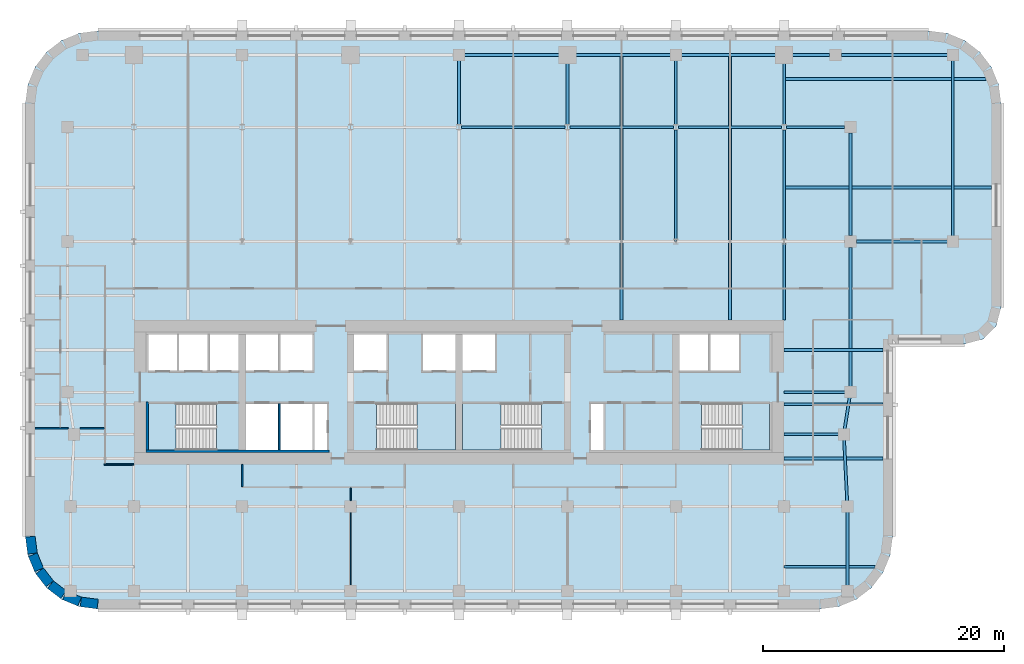
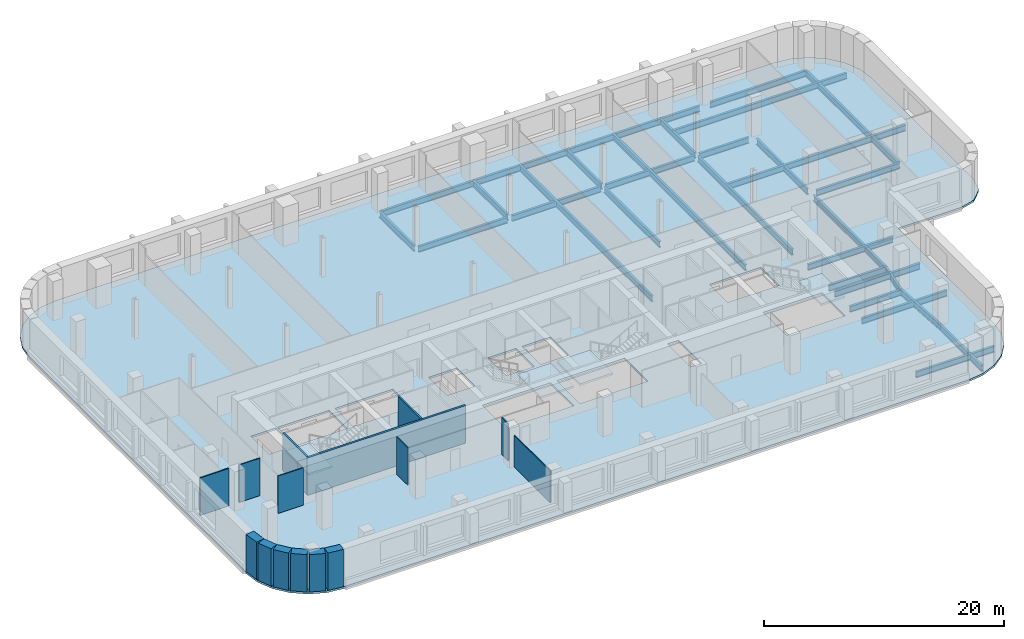
# One storey, part 2 of 9: 30 beams, 15 walls, 5 slabs, 4 elements without a shape of their own.
"""IFC4 building model written with IfcOpenShell, lengths in metres."""

import ifcopenshell
import ifcopenshell.guid

model = None  # the IFC model being written
_history = None  # IfcOwnerHistory: only IFC2X3 demands one
_inside = {}  # id of a spatial element -> (the spatial element, [elements in it])
_under = {}  # id of a project, library or spatial element -> (it, [spatial elements below it])
_declared = {}  # id of a project -> (the project, [libraries it declares])
_typed = {}  # id of a type object -> (the type object, [elements of that type])
_made_of = {}  # id of a material, layer set ... -> (it, [elements and type objects made of it])


def new_model(schema):
    """Start an empty IFC model of exactly this schema.

    Asked for "IFC4X3", IfcOpenShell would pick the latest addendum, in which some entities
    have other attributes; the version numbers below select the first issue.
    IFC2X3 requires an IfcOwnerHistory on every rooted entity: one is made here for all.
    """
    global model, _history
    if schema == "IFC4X3":
        model = ifcopenshell.file(schema_version=(4, 3, 0, 0))
    else:
        model = ifcopenshell.file(schema=schema)
    _inside.clear()
    _under.clear()
    _declared.clear()
    _typed.clear()
    _made_of.clear()
    _history = None
    if model.schema == "IFC2X3":
        org = make("IfcOrganization", Name="unknown")
        user = make(
            "IfcPersonAndOrganization",
            ThePerson=make("IfcPerson", FamilyName="unknown"),
            TheOrganization=org,
        )
        app = make(
            "IfcApplication",
            ApplicationDeveloper=org,
            Version="unknown",
            ApplicationFullName="unknown",
            ApplicationIdentifier="unknown",
        )
        _history = make(
            "IfcOwnerHistory",
            OwningUser=user,
            OwningApplication=app,
            ChangeAction="ADDED",
            CreationDate=0,
        )
    return model


def make(cls, **values):
    """One entity of the class cls with the attributes given. An attribute that is None is left unset."""
    return model.create_entity(
        cls, **{name: value for name, value in values.items() if value is not None}
    )


def rooted(cls, **values):
    """An entity with a GlobalId (a new one), such as an element, a storey or a relation."""
    return make(cls, GlobalId=ifcopenshell.guid.new(), OwnerHistory=_history, **values)


def si_unit(unit_type, name, prefix=None):
    """IfcSIUnit, for example si_unit("LENGTHUNIT", "METRE", prefix="MILLI")."""
    return make("IfcSIUnit", UnitType=unit_type, Prefix=prefix, Name=name)


def assignment(units):
    """IfcUnitAssignment: the units of a project."""
    return None if units is None else make("IfcUnitAssignment", Units=units)


def point(xyz):
    """IfcCartesianPoint."""
    return None if xyz is None else make("IfcCartesianPoint", Coordinates=xyz)


def direction(xyz):
    """IfcDirection."""
    return None if xyz is None else make("IfcDirection", DirectionRatios=xyz)


def frame(location, z_axis=None, x_axis=None):
    """IfcAxis2Placement3D, a coordinate frame: its origin and axes. An axis left out is left unset."""
    return make(
        "IfcAxis2Placement3D",
        Location=point(location),
        Axis=direction(z_axis),
        RefDirection=direction(x_axis),
    )


def frame_2d(location, x_axis=None):
    """IfcAxis2Placement2D, a coordinate frame in the plane: its origin and x axis."""
    return make(
        "IfcAxis2Placement2D", Location=point(location), RefDirection=direction(x_axis)
    )


def origin():
    """The frame at (0, 0, 0) with its axes left unset."""
    return frame((0.0, 0.0, 0.0))


def origin_2d():
    """The frame at (0, 0) in the plane with its x axis left unset."""
    return frame_2d((0.0, 0.0))


def place(relative_to, where):
    """IfcLocalPlacement: puts the frame where relative to a parent placement (None: the world)."""
    return make(
        "IfcLocalPlacement", PlacementRelTo=relative_to, RelativePlacement=where
    )


def context(
    kind, dimensions, precision=None, world=None, true_north=None, identifier=None
):
    """IfcGeometricRepresentationContext, for example the 3D "Model" context."""
    return make(
        "IfcGeometricRepresentationContext",
        ContextIdentifier=identifier,
        ContextType=kind,
        CoordinateSpaceDimension=dimensions,
        Precision=precision,
        WorldCoordinateSystem=world,
        TrueNorth=true_north,
    )


def subcontext(parent, identifier, kind, view, scale=None):
    """IfcGeometricRepresentationSubContext, for example "Body" below "Model"."""
    return make(
        "IfcGeometricRepresentationSubContext",
        ContextIdentifier=identifier,
        ContextType=kind,
        ParentContext=parent,
        TargetScale=scale,
        TargetView=view,
    )


def project(units=None, contexts=None):
    """IfcProject with its units and contexts."""
    return rooted(
        "IfcProject",
        Name="project",
        RepresentationContexts=contexts,
        UnitsInContext=assignment(units),
    )


def spatial(cls, under=None, at=None, **own):
    """A site, building, storey or space (cls), placed at a placement, below another one or the project."""
    s = rooted(cls, ObjectPlacement=at, **own)
    if under is not None:
        _under.setdefault(under.id(), (under, []))[1].append(s)
    return s


def polyline(points):
    """IfcPolyline through the points."""
    return make("IfcPolyline", Points=[point(p) for p in points])


def profile(cls, at=None, kind="AREA", **sizes):
    """A parametric profile (cls). Its sizes go by their IFC names, for example OverallWidth=200.0."""
    return make(cls, ProfileType=kind, Position=at, **sizes)


def rectangle(**sizes):
    """IfcRectangleProfileDef."""
    return profile("IfcRectangleProfileDef", **sizes)


def i_section(**sizes):
    """IfcIShapeProfileDef."""
    return profile("IfcIShapeProfileDef", **sizes)


def outline(outer, holes=None, kind="AREA"):
    """IfcArbitraryClosedProfileDef: a profile drawn as a closed curve; with holes, ...WithVoids."""
    if holes is None:
        return make("IfcArbitraryClosedProfileDef", ProfileType=kind, OuterCurve=outer)
    return make(
        "IfcArbitraryProfileDefWithVoids",
        ProfileType=kind,
        OuterCurve=outer,
        InnerCurves=holes,
    )


def extrude(swept, where, along, depth):
    """IfcExtrudedAreaSolid: the profile swept, set in the frame where, extruded along a direction by depth."""
    return make(
        "IfcExtrudedAreaSolid",
        SweptArea=swept,
        Position=where,
        ExtrudedDirection=direction(along),
        Depth=depth,
    )


def shape(context_of_items, identifier, shape_type, items):
    """IfcShapeRepresentation: the items that make up one representation, for example the "Body"."""
    return make(
        "IfcShapeRepresentation",
        ContextOfItems=context_of_items,
        RepresentationIdentifier=identifier,
        RepresentationType=shape_type,
        Items=items,
    )


def material(Name=None, Category=None):
    """IfcMaterial."""
    return make("IfcMaterial", Name=Name, Category=Category)


def layer(
    of_material, thickness, ventilated=None, Name=None, Category=None, Priority=None
):
    """IfcMaterialLayer: one layer of a wall or slab, of a material (None: an air gap)."""
    return make(
        "IfcMaterialLayer",
        Material=of_material,
        LayerThickness=thickness,
        IsVentilated=ventilated,
        Name=Name,
        Category=Category,
        Priority=Priority,
    )


def layer_set(layers, Name=None):
    """IfcMaterialLayerSet."""
    return make("IfcMaterialLayerSet", MaterialLayers=layers, LayerSetName=Name)


def material_profile(
    of_material, cross_section, Name=None, Category=None, Priority=None
):
    """IfcMaterialProfile: a cross section and its material."""
    return make(
        "IfcMaterialProfile",
        Name=Name,
        Material=of_material,
        Profile=cross_section,
        Priority=Priority,
        Category=Category,
    )


def profile_set(profiles, Name=None, composite=None):
    """IfcMaterialProfileSet."""
    return make(
        "IfcMaterialProfileSet",
        Name=Name,
        MaterialProfiles=profiles,
        CompositeProfile=composite,
    )


def made_of(thing, what):
    """Note that an element or type object is made of a material, layer set ...; save() writes the relation."""
    if what is not None:
        _made_of.setdefault(what.id(), (what, []))[1].append(thing)
    return thing


def type_object(cls, material=None, **own):
    """A type object (cls), such as IfcWallType, which elements share."""
    return made_of(rooted(cls, **own), material)


def element(
    cls,
    number,
    at=None,
    inside=None,
    cuts=None,
    type_object=None,
    material=None,
    context=None,
    identifier="Body",
    shape_type=None,
    held_by="IfcProductDefinitionShape",
    body=None,
    shapes=None,
    **own,
):
    """One element of the class cls, such as IfcWall. Its Tag is "e" and its number.

    at: its placement. inside: the storey or other place that contains it. cuts: it is an
    opening in that element (IfcRelVoidsElement). A single representation is given by context,
    identifier, shape_type and body (its items); several are given by shapes. held_by: the class
    of the entity that holds the representations. save() writes the other relations.
    """
    e = rooted(cls, Tag="e%d" % number, ObjectPlacement=at, **own)
    if body is not None:
        shapes = [shape(context, identifier, shape_type, body)]
    if shapes is not None:
        e.Representation = make(held_by, Representations=shapes)
    if inside is not None:
        _inside.setdefault(inside.id(), (inside, []))[1].append(e)
    if cuts is not None:
        rooted(
            "IfcRelVoidsElement", RelatingBuildingElement=cuts, RelatedOpeningElement=e
        )
    if type_object is not None:
        _typed.setdefault(type_object.id(), (type_object, []))[1].append(e)
    return made_of(e, material)


def aggregate(whole, parts):
    """IfcRelAggregates: a whole, such as a stair, and the parts it consists of."""
    return rooted("IfcRelAggregates", RelatingObject=whole, RelatedObjects=parts)


def save(model, path):
    """Write the relations noted so far, then the file.

    IfcRelAggregates (storeys below a building ...), IfcRelContainedInSpatialStructure (elements
    in a storey), IfcRelDefinesByType, IfcRelAssociatesMaterial and IfcRelDeclares: one each for
    every whole, place, type object, material and project.
    """
    for whole, parts in _under.values():
        aggregate(whole, parts)
    for where, things in _inside.values():
        rooted(
            "IfcRelContainedInSpatialStructure",
            RelatedElements=things,
            RelatingStructure=where,
        )
    for kind, things in _typed.values():
        rooted("IfcRelDefinesByType", RelatedObjects=things, RelatingType=kind)
    for what, things in _made_of.values():
        rooted("IfcRelAssociatesMaterial", RelatedObjects=things, RelatingMaterial=what)
    for by, libraries in _declared.values():
        rooted("IfcRelDeclares", RelatingContext=by, RelatedDefinitions=libraries)
    model.write(path)


model = new_model("IFC4")

# Units and contexts
model_context = context("Model", 3, precision=1e-05, world=origin(), true_north=direction((0.0, 1.0)))
body_context = subcontext(model_context, "Body", "Model", "MODEL_VIEW")
ifc_project = project(units=[si_unit("LENGTHUNIT", "METRE"), si_unit("AREAUNIT", "SQUARE_METRE"), si_unit("VOLUMEUNIT", "CUBIC_METRE"), si_unit("PLANEANGLEUNIT", "RADIAN"), si_unit("MASSUNIT", "GRAM", prefix="KILO")], contexts=[model_context])

# Site, building, storey
site_placement = place(None, origin())
site = spatial("IfcSite", under=ifc_project, at=site_placement, CompositionType="ELEMENT")
building_placement = place(site_placement, origin())
building = spatial("IfcBuilding", under=site, at=building_placement, Name="Zellij Exchange Tower", CompositionType="ELEMENT")
storey_placement = place(building_placement, frame((0.0, 0.0, 140.5)))
storey = spatial("IfcBuildingStorey", under=building, at=storey_placement, Name="L31", CompositionType="ELEMENT", Elevation=140.5)

# Beams
ifc_material_1 = material(Name="Structural steel ASTM A992 Gr 50", Category="steel")
ifc_material_profile_1 = material_profile(ifc_material_1, i_section(OverallWidth=0.227783203125, OverallDepth=0.60205078125, WebThickness=0.010498046875, FlangeThickness=0.014892578125, at=origin_2d()), Name="W24x68")
ifc_profile_set_1 = profile_set([ifc_material_profile_1], Name="Structural steel ASTM A992 Gr 50")
beam_type_1 = type_object("IfcBeamType", Name="STR-BEAM W24x68", PredefinedType="BEAM", material=ifc_profile_set_1)
for number, where, z_axis, x_axis, name in (
    (1, (13.5, -2.0, -0.5009765625), (0.0, 1.0, 0.0), (-1.0, 0.0, 0.0), "B5"),
    (2, (22.5, -2.0, -0.5009765625), (0.0, 1.0, 0.0), (-1.0, 0.0, 0.0), "B5"),
):
    element("IfcBeam", number, at=place(storey_placement, frame(where, z_axis=z_axis, x_axis=x_axis)), inside=storey, type_object=beam_type_1, Name=name, PredefinedType="BEAM", context=body_context, shape_type="SweptSolid", body=[
        extrude(i_section(OverallWidth=0.227783203125, OverallDepth=0.60205078125, WebThickness=0.010498046875, FlangeThickness=0.014892578125, at=origin_2d()), origin(), (0.0, 0.0, 1.0), 22.114501953125),
    ])
beam_1_placement = place(storey_placement, frame((27.0, -22.5, -0.5009765625), z_axis=(1.0, 0.0, 0.0), x_axis=(0.0, 1.0, 0.0)))
element("IfcBeam", 3, at=beam_1_placement, inside=storey, type_object=beam_type_1, Name="B5", PredefinedType="BEAM", context=body_context, shape_type="SweptSolid", body=[
    extrude(i_section(OverallWidth=0.227783203125, OverallDepth=0.60205078125, WebThickness=0.010498046875, FlangeThickness=0.014892578125, at=origin_2d()), origin(), (0.0, 0.0, 1.0), 7.537109375),
])
for number, where, z_axis, x_axis, name in (
    (4, (27.0, -13.5, -0.5009765625), (1.0, 0.0, 0.0), (0.0, 1.0, 0.0), "B5"),
    (5, (27.0, -9.0, -0.5009765625), (1.0, 0.0, 0.0), (0.0, 1.0, 0.0), "B5"),
    (6, (27.0, -4.5, -0.5009765625), (1.0, 0.0, 0.0), (0.0, 1.0, 0.0), "B5"),
):
    element("IfcBeam", number, at=place(storey_placement, frame(where, z_axis=z_axis, x_axis=x_axis)), inside=storey, type_object=beam_type_1, Name=name, PredefinedType="BEAM", context=body_context, shape_type="SweptSolid", body=[
        extrude(i_section(OverallWidth=0.227783203125, OverallDepth=0.60205078125, WebThickness=0.010498046875, FlangeThickness=0.014892578125, at=origin_2d()), origin(), (0.0, 0.0, 1.0), 8.199951171875),
    ])
beam_2_placement = place(storey_placement, frame((27.0, 9.0, -0.5009765625), z_axis=(1.0, 0.0, 0.0), x_axis=(0.0, 1.0, 0.0)))
element("IfcBeam", 7, at=beam_2_placement, inside=storey, type_object=beam_type_1, Name="B5", PredefinedType="BEAM", context=body_context, shape_type="SweptSolid", body=[
    extrude(i_section(OverallWidth=0.227783203125, OverallDepth=0.60205078125, WebThickness=0.010498046875, FlangeThickness=0.014892578125, at=origin_2d()), origin(), (0.0, 0.0, 1.0), 17.199951171875),
])
beam_3_placement = place(storey_placement, frame((27.0, 18.0, -0.5009765625), z_axis=(1.0, 0.0, 0.0), x_axis=(0.0, 1.0, 0.0)))
element("IfcBeam", 8, at=beam_3_placement, inside=storey, type_object=beam_type_1, Name="B5", PredefinedType="BEAM", context=body_context, shape_type="SweptSolid", body=[
    extrude(i_section(OverallWidth=0.227783203125, OverallDepth=0.60205078125, WebThickness=0.010498046875, FlangeThickness=0.014892578125, at=origin_2d()), origin(), (0.0, 0.0, 1.0), 16.743896484375),
])
ifc_material_profile_2 = material_profile(ifc_material_1, i_section(OverallWidth=0.22900390625, OverallDepth=0.612060546875, WebThickness=0.011962890625, FlangeThickness=0.01953125, at=origin_2d()), Name="W24x84")
ifc_profile_set_2 = profile_set([ifc_material_profile_2], Name="Structural steel ASTM A992 Gr 50")
beam_type_2 = type_object("IfcBeamType", Name="STR-EDGE GIRDER W24x84", PredefinedType="BEAM", material=ifc_profile_set_2)
beam_4_placement = place(storey_placement, frame((32.25, -24.5, -0.506103515625), z_axis=(0.0, 1.0, 0.0), x_axis=(-1.0, 0.0, 0.0)))
element("IfcBeam", 9, at=beam_4_placement, inside=storey, type_object=beam_type_2, Name="EB6", PredefinedType="BEAM", context=body_context, shape_type="SweptSolid", body=[
    extrude(i_section(OverallWidth=0.22900390625, OverallDepth=0.612060546875, WebThickness=0.011962890625, FlangeThickness=0.01953125, at=origin_2d()), origin(), (0.0, 0.0, 1.0), 7.0),
])
beam_5_placement = place(storey_placement, frame((32.25, -17.5, -0.506103515625), z_axis=(-0.049945724537, 0.998751933465, 0.0), x_axis=(-0.998751933465, -0.049945724537, 0.0)))
element("IfcBeam", 10, at=beam_5_placement, inside=storey, type_object=beam_type_2, Name="EB6", PredefinedType="BEAM", context=body_context, shape_type="SweptSolid", body=[
    extrude(i_section(OverallWidth=0.22900390625, OverallDepth=0.612060546875, WebThickness=0.011962890625, FlangeThickness=0.01953125, at=origin_2d()), origin(), (0.0, 0.0, 1.0), 6.007568359375),
])
beam_6_placement = place(storey_placement, frame((31.949951171875, -11.5, -0.506103515625), z_axis=(0.155251283593, 0.987875011802, 0.0), x_axis=(-0.987875011802, 0.155251283593, 0.0)))
element("IfcBeam", 11, at=beam_6_placement, inside=storey, type_object=beam_type_2, Name="EB6", PredefinedType="BEAM", context=body_context, shape_type="SweptSolid", body=[
    extrude(i_section(OverallWidth=0.22900390625, OverallDepth=0.612060546875, WebThickness=0.011962890625, FlangeThickness=0.01953125, at=origin_2d()), origin(), (0.0, 0.0, 1.0), 3.54296875),
])
beam_7_placement = place(storey_placement, frame((32.5, -8.0, -0.506103515625), z_axis=(0.0, 1.0, 0.0), x_axis=(-1.0, 0.0, 0.0)))
element("IfcBeam", 12, at=beam_7_placement, inside=storey, type_object=beam_type_2, Name="EB6", PredefinedType="BEAM", context=body_context, shape_type="SweptSolid", body=[
    extrude(i_section(OverallWidth=0.22900390625, OverallDepth=0.612060546875, WebThickness=0.011962890625, FlangeThickness=0.01953125, at=origin_2d()), origin(), (0.0, 0.0, 1.0), 12.0),
])
beam_8_placement = place(storey_placement, frame((32.5, 5.0, -0.506103515625), z_axis=(0.0, 1.0, 0.0), x_axis=(-1.0, 0.0, 0.0)))
element("IfcBeam", 13, at=beam_8_placement, inside=storey, type_object=beam_type_2, Name="EB6", PredefinedType="BEAM", context=body_context, shape_type="SweptSolid", body=[
    extrude(i_section(OverallWidth=0.22900390625, OverallDepth=0.612060546875, WebThickness=0.011962890625, FlangeThickness=0.01953125, at=origin_2d()), origin(), (0.0, 0.0, 1.0), 8.5),
])
beam_9_placement = place(storey_placement, frame((41.0, 4.5, -0.506103515625), z_axis=(0.0, 1.0, 0.0), x_axis=(-1.0, 0.0, 0.0)))
element("IfcBeam", 14, at=beam_9_placement, inside=storey, type_object=beam_type_2, Name="EB6", PredefinedType="BEAM", context=body_context, shape_type="SweptSolid", body=[
    extrude(i_section(OverallWidth=0.22900390625, OverallDepth=0.612060546875, WebThickness=0.011962890625, FlangeThickness=0.01953125, at=origin_2d()), origin(), (0.0, 0.0, 1.0), 15.5),
])
ifc_material_profile_3 = material_profile(ifc_material_1, i_section(OverallWidth=0.22900390625, OverallDepth=0.612060546875, WebThickness=0.011962890625, FlangeThickness=0.01953125, at=origin_2d()), Name="W24x84")
ifc_profile_set_3 = profile_set([ifc_material_profile_3], Name="Structural steel ASTM A992 Gr 50")
beam_type_3 = type_object("IfcBeamType", Name="STR-GIRDER W24x84", PredefinedType="BEAM", material=ifc_profile_set_3)
beam_10_placement = place(storey_placement, frame((27.0, -11.5, -0.506103515625), z_axis=(1.0, 0.0, 0.0), x_axis=(0.0, 1.0, 0.0)))
element("IfcBeam", 15, at=beam_10_placement, inside=storey, type_object=beam_type_3, Name="G4", PredefinedType="BEAM", context=body_context, shape_type="SweptSolid", body=[
    extrude(i_section(OverallWidth=0.22900390625, OverallDepth=0.612060546875, WebThickness=0.011962890625, FlangeThickness=0.01953125, at=origin_2d()), origin(), (0.0, 0.0, 1.0), 4.949951171875),
])
beam_11_placement = place(storey_placement, frame((27.0, -8.0, -0.506103515625), z_axis=(1.0, 0.0, 0.0), x_axis=(0.0, 1.0, 0.0)))
element("IfcBeam", 16, at=beam_11_placement, inside=storey, type_object=beam_type_3, Name="G4", PredefinedType="BEAM", context=body_context, shape_type="SweptSolid", body=[
    extrude(i_section(OverallWidth=0.22900390625, OverallDepth=0.612060546875, WebThickness=0.011962890625, FlangeThickness=0.01953125, at=origin_2d()), origin(), (0.0, 0.0, 1.0), 5.5),
])
beam_12_placement = place(storey_placement, frame((33.0, 4.5, -0.506103515625), z_axis=(1.0, 0.0, 0.0), x_axis=(0.0, 1.0, 0.0)))
element("IfcBeam", 17, at=beam_12_placement, inside=storey, type_object=beam_type_3, Name="G4", PredefinedType="BEAM", context=body_context, shape_type="SweptSolid", body=[
    extrude(i_section(OverallWidth=0.22900390625, OverallDepth=0.612060546875, WebThickness=0.011962890625, FlangeThickness=0.01953125, at=origin_2d()), origin(), (0.0, 0.0, 1.0), 8.0),
])
beam_13_placement = place(storey_placement, frame((0.20947265625, 14.0, -0.506103515625), z_axis=(1.0, 0.0, 0.0), x_axis=(0.0, 1.0, 0.0)))
element("IfcBeam", 18, at=beam_13_placement, inside=storey, type_object=beam_type_3, Name="G4", PredefinedType="BEAM", context=body_context, shape_type="SweptSolid", body=[
    extrude(i_section(OverallWidth=0.22900390625, OverallDepth=0.612060546875, WebThickness=0.011962890625, FlangeThickness=0.01953125, at=origin_2d()), origin(), (0.0, 0.0, 1.0), 8.580810546875),
])
for number, where, z_axis, x_axis, name in (
    (19, (9.209716796875, 14.0, -0.506103515625), (1.0, 0.0, 0.0), (0.0, 1.0, 0.0), "G4"),
    (20, (18.209716796875, 14.0, -0.506103515625), (1.0, 0.0, 0.0), (0.0, 1.0, 0.0), "G4"),
):
    element("IfcBeam", number, at=place(storey_placement, frame(where, z_axis=z_axis, x_axis=x_axis)), inside=storey, type_object=beam_type_3, Name=name, PredefinedType="BEAM", context=body_context, shape_type="SweptSolid", body=[
        extrude(i_section(OverallWidth=0.22900390625, OverallDepth=0.612060546875, WebThickness=0.011962890625, FlangeThickness=0.01953125, at=origin_2d()), origin(), (0.0, 0.0, 1.0), 8.58056640625),
    ])
beam_14_placement = place(storey_placement, frame((27.209716796875, 14.0, -0.506103515625), z_axis=(1.0, 0.0, 0.0), x_axis=(0.0, 1.0, 0.0)))
element("IfcBeam", 21, at=beam_14_placement, inside=storey, type_object=beam_type_3, Name="G4", PredefinedType="BEAM", context=body_context, shape_type="SweptSolid", body=[
    extrude(i_section(OverallWidth=0.22900390625, OverallDepth=0.612060546875, WebThickness=0.011962890625, FlangeThickness=0.01953125, at=origin_2d()), origin(), (0.0, 0.0, 1.0), 4.790283203125),
])
beam_15_placement = place(storey_placement, frame((0.0, 20.0, -0.506103515625), z_axis=(1.0, 0.0, 0.0), x_axis=(0.0, 1.0, 0.0)))
element("IfcBeam", 22, at=beam_15_placement, inside=storey, type_object=beam_type_3, Name="G4", PredefinedType="BEAM", context=body_context, shape_type="SweptSolid", body=[
    extrude(i_section(OverallWidth=0.22900390625, OverallDepth=0.612060546875, WebThickness=0.011962890625, FlangeThickness=0.01953125, at=origin_2d()), origin(), (0.0, 0.0, 1.0), 18.0),
])
beam_16_placement = place(storey_placement, frame((18.0, 20.0, -0.506103515625), z_axis=(1.0, 0.0, 0.0), x_axis=(0.0, 1.0, 0.0)))
element("IfcBeam", 23, at=beam_16_placement, inside=storey, type_object=beam_type_3, Name="G4", PredefinedType="BEAM", context=body_context, shape_type="SweptSolid", body=[
    extrude(i_section(OverallWidth=0.22900390625, OverallDepth=0.612060546875, WebThickness=0.011962890625, FlangeThickness=0.01953125, at=origin_2d()), origin(), (0.0, 0.0, 1.0), 12.75),
])
beam_17_placement = place(storey_placement, frame((31.75, 20.0, -0.506103515625), z_axis=(1.0, 0.0, 0.0), x_axis=(0.0, 1.0, 0.0)))
element("IfcBeam", 24, at=beam_17_placement, inside=storey, type_object=beam_type_3, Name="G4", PredefinedType="BEAM", context=body_context, shape_type="SweptSolid", body=[
    extrude(i_section(OverallWidth=0.22900390625, OverallDepth=0.612060546875, WebThickness=0.011962890625, FlangeThickness=0.01953125, at=origin_2d()), origin(), (0.0, 0.0, 1.0), 9.25),
])
for number, where, z_axis, x_axis, name in (
    (25, (0.0, 14.227294921875, -0.506103515625), (0.0, 1.0, 0.0), (-1.0, 0.0, 0.0), "G4"),
    (26, (9.0, 14.227294921875, -0.506103515625), (0.0, 1.0, 0.0), (-1.0, 0.0, 0.0), "G4"),
):
    element("IfcBeam", number, at=place(storey_placement, frame(where, z_axis=z_axis, x_axis=x_axis)), inside=storey, type_object=beam_type_3, Name=name, PredefinedType="BEAM", context=body_context, shape_type="SweptSolid", body=[
        extrude(i_section(OverallWidth=0.22900390625, OverallDepth=0.612060546875, WebThickness=0.011962890625, FlangeThickness=0.01953125, at=origin_2d()), origin(), (0.0, 0.0, 1.0), 5.772705078125),
    ])
beam_18_placement = place(storey_placement, frame((18.0, 4.5, -0.506103515625), z_axis=(0.0, 1.0, 0.0), x_axis=(-1.0, 0.0, 0.0)))
element("IfcBeam", 27, at=beam_18_placement, inside=storey, type_object=beam_type_3, Name="G4", PredefinedType="BEAM", context=body_context, shape_type="SweptSolid", body=[
    extrude(i_section(OverallWidth=0.22900390625, OverallDepth=0.612060546875, WebThickness=0.011962890625, FlangeThickness=0.01953125, at=origin_2d()), origin(), (0.0, 0.0, 1.0), 9.272705078125),
])
beam_19_placement = place(storey_placement, frame((18.0, 14.227294921875, -0.506103515625), z_axis=(0.0, 1.0, 0.0), x_axis=(-1.0, 0.0, 0.0)))
element("IfcBeam", 28, at=beam_19_placement, inside=storey, type_object=beam_type_3, Name="G4", PredefinedType="BEAM", context=body_context, shape_type="SweptSolid", body=[
    extrude(i_section(OverallWidth=0.22900390625, OverallDepth=0.612060546875, WebThickness=0.011962890625, FlangeThickness=0.01953125, at=origin_2d()), origin(), (0.0, 0.0, 1.0), 5.772705078125),
])
beam_20_placement = place(storey_placement, frame((27.0, -2.0, -0.506103515625), z_axis=(0.0, 1.0, 0.0), x_axis=(-1.0, 0.0, 0.0)))
element("IfcBeam", 29, at=beam_20_placement, inside=storey, type_object=beam_type_3, Name="G4", PredefinedType="BEAM", context=body_context, shape_type="SweptSolid", body=[
    extrude(i_section(OverallWidth=0.22900390625, OverallDepth=0.612060546875, WebThickness=0.011962890625, FlangeThickness=0.01953125, at=origin_2d()), origin(), (0.0, 0.0, 1.0), 15.772705078125),
])
beam_21_placement = place(storey_placement, frame((27.0, 14.227294921875, -0.506103515625), z_axis=(0.0, 1.0, 0.0), x_axis=(-1.0, 0.0, 0.0)))
element("IfcBeam", 30, at=beam_21_placement, inside=storey, type_object=beam_type_3, Name="G4", PredefinedType="BEAM", context=body_context, shape_type="SweptSolid", body=[
    extrude(i_section(OverallWidth=0.22900390625, OverallDepth=0.612060546875, WebThickness=0.011962890625, FlangeThickness=0.01953125, at=origin_2d()), origin(), (0.0, 0.0, 1.0), 5.772705078125),
])

# Stair, slab
ifc_material_2 = material(Name="Concrete C40/50", Category="concrete")
stair_type = type_object("IfcStairType", Name="CORE-ST exit stair 1850 wide", PredefinedType="HALF_TURN_STAIR", material=ifc_material_2)
stair_1_placement = place(storey_placement, origin())
stair_1 = element("IfcStair", 31, at=stair_1_placement, inside=storey, type_object=stair_type, Name="L31 exit stair ST1", PredefinedType="HALF_TURN_STAIR")
ifc_layer_1 = layer(ifc_material_2, 0.199951171875)
ifc_layer_set_1 = layer_set([ifc_layer_1], Name="Concrete C40/50")
slab_type_1 = type_object("IfcSlabType", Name="CORE-SL stair landing 200", PredefinedType="LANDING", material=ifc_layer_set_1)
slab_1_placement = place(storey_placement, frame((0.0, 0.0, 1.800048828125)))
slab_1 = element("IfcSlab", 32, at=slab_1_placement, type_object=slab_type_1, Name="ST1 landing 1", PredefinedType="LANDING", context=body_context, shape_type="SweptSolid", body=[
    extrude(outline(polyline([(-23.510009765625, -8.949951171875), (-25.800048828125, -8.949951171875), (-25.800048828125, -12.800048828125), (-23.510009765625, -12.800048828125), (-23.510009765625, -8.949951171875)])), origin(), (0.0, 0.0, 1.0), 0.199951171875),
])
aggregate(stair_1, [slab_1])

stair_2_placement = place(storey_placement, origin())
stair_2 = element("IfcStair", 33, at=stair_2_placement, inside=storey, type_object=stair_type, Name="L31 exit stair ST2", PredefinedType="HALF_TURN_STAIR")
slab_2_placement = place(storey_placement, frame((0.0, 0.0, 1.800048828125)))
slab_2 = element("IfcSlab", 34, at=slab_2_placement, type_object=slab_type_1, Name="ST2 landing 1", PredefinedType="LANDING", context=body_context, shape_type="SweptSolid", body=[
    extrude(outline(polyline([(-3.489990234375, -12.800048828125), (-0.300048828125, -12.800048828125), (-0.300048828125, -8.949951171875), (-3.489990234375, -8.949951171875), (-3.489990234375, -12.800048828125)])), origin(), (0.0, 0.0, 1.0), 0.199951171875),
])
aggregate(stair_2, [slab_2])

stair_3_placement = place(storey_placement, origin())
stair_3 = element("IfcStair", 35, at=stair_3_placement, inside=storey, type_object=stair_type, Name="L31 exit stair ST3", PredefinedType="HALF_TURN_STAIR")
slab_3_placement = place(storey_placement, frame((0.0, 0.0, 1.800048828125)))
slab_3 = element("IfcSlab", 36, at=slab_3_placement, type_object=slab_type_1, Name="ST3 landing 1", PredefinedType="LANDING", context=body_context, shape_type="SweptSolid", body=[
    extrude(outline(polyline([(3.489990234375, -8.949951171875), (0.300048828125, -8.949951171875), (0.300048828125, -12.800048828125), (3.489990234375, -12.800048828125), (3.489990234375, -8.949951171875)])), origin(), (0.0, 0.0, 1.0), 0.199951171875),
])
aggregate(stair_3, [slab_3])

stair_4_placement = place(storey_placement, origin())
stair_4 = element("IfcStair", 37, at=stair_4_placement, inside=storey, type_object=stair_type, Name="L31 exit stair ST4", PredefinedType="HALF_TURN_STAIR")
slab_4_placement = place(storey_placement, frame((0.0, 0.0, 1.800048828125)))
slab_4 = element("IfcSlab", 38, at=slab_4_placement, type_object=slab_type_1, Name="ST4 landing 1", PredefinedType="LANDING", context=body_context, shape_type="SweptSolid", body=[
    extrude(outline(polyline([(23.510009765625, -12.800048828125), (25.800048828125, -12.800048828125), (25.800048828125, -8.949951171875), (23.510009765625, -8.949951171875), (23.510009765625, -12.800048828125)])), origin(), (0.0, 0.0, 1.0), 0.199951171875),
])
aggregate(stair_4, [slab_4])

# Slab
ifc_layer_2 = layer(ifc_material_2, 0.199951171875)
ifc_layer_set_2 = layer_set([ifc_layer_2], Name="Concrete C40/50")
slab_type_2 = type_object("IfcSlabType", Name="STR-FLOOR SLAB 200 C40/50", PredefinedType="FLOOR", material=ifc_layer_set_2)
slab_5_placement = place(storey_placement, frame((0.0, 0.0, -0.2001953125)))
element("IfcSlab", 39, at=slab_5_placement, inside=storey, type_object=slab_type_2, Name="Floor L31", PredefinedType="FLOOR", context=body_context, shape_type="SweptSolid", body=[
    extrude(outline(polyline([(35.795654296875, -21.552978515625), (35.1962890625, -23.0), (34.24267578125, -24.24267578125), (33.0, -25.1962890625), (31.552978515625, -25.795654296875), (30.0, -26.0), (-30.0, -26.0), (-31.552978515625, -25.795654296875), (-33.0, -25.1962890625), (-34.24267578125, -24.24267578125), (-35.1962890625, -23.0), (-35.795654296875, -21.552978515625), (-36.0, -20.0), (-36.0, 16.0), (-35.795654296875, 17.552978515625), (-35.1962890625, 19.0), (-34.24267578125, 20.24267578125), (-33.0, 21.1962890625), (-31.552978515625, 21.795654296875), (-30.0, 22.0), (39.0, 22.0), (40.552978515625, 21.795654296875), (42.0, 21.1962890625), (43.24267578125, 20.24267578125), (44.1962890625, 19.0), (44.795654296875, 17.552978515625), (45.0, 16.0), (45.0, -1.0), (44.59814453125, -2.5), (43.5, -3.59814453125), (42.0, -4.0), (36.0, -4.0), (36.0, -20.0), (35.795654296875, -21.552978515625)]), holes=[polyline([(-25.800048828125, -8.949951171875), (-25.800048828125, -12.800048828125), (-20.153076171875, -12.800048828125), (-20.153076171875, -8.949951171875), (-25.800048828125, -8.949951171875)]), polyline([(-12.14990234375, -8.949951171875), (-17.699951171875, -8.949951171875), (-17.699951171875, -12.800048828125), (-12.14990234375, -12.800048828125), (-12.14990234375, -8.949951171875)]), polyline([(-10.949951171875, -8.949951171875), (-12.0, -8.949951171875), (-12.0, -12.800048828125), (-10.949951171875, -12.800048828125), (-10.949951171875, -8.949951171875)]), polyline([(-23.39990234375, -3.199951171875), (-25.800048828125, -3.199951171875), (-25.800048828125, -6.22509765625), (-23.39990234375, -6.22509765625), (-23.39990234375, -3.199951171875)]), polyline([(-18.300048828125, -3.199951171875), (-23.25, -3.199951171875), (-23.25, -6.22509765625), (-18.300048828125, -6.22509765625), (-18.300048828125, -3.199951171875)]), polyline([(-12.14990234375, -3.199951171875), (-17.699951171875, -3.199951171875), (-17.699951171875, -6.22509765625), (-12.14990234375, -6.22509765625), (-12.14990234375, -3.199951171875)]), polyline([(-6.0, -3.199951171875), (-8.699951171875, -3.199951171875), (-8.699951171875, -6.22509765625), (-6.0, -6.22509765625), (-6.0, -3.199951171875)]), polyline([(-6.846923828125, -8.949951171875), (-6.846923828125, -12.800048828125), (-0.300048828125, -12.800048828125), (-0.300048828125, -8.949951171875), (-6.846923828125, -8.949951171875)]), polyline([(6.846923828125, -8.949951171875), (0.300048828125, -8.949951171875), (0.300048828125, -12.800048828125), (6.846923828125, -12.800048828125), (6.846923828125, -8.949951171875)]), polyline([(12.0, -8.949951171875), (10.949951171875, -8.949951171875), (10.949951171875, -12.800048828125), (12.0, -12.800048828125), (12.0, -8.949951171875)]), polyline([(25.800048828125, -8.949951171875), (20.153076171875, -8.949951171875), (20.153076171875, -12.800048828125), (25.800048828125, -12.800048828125), (25.800048828125, -8.949951171875)]), polyline([(-0.300048828125, -3.199951171875), (-3.0, -3.199951171875), (-3.0, -6.22509765625), (-0.300048828125, -6.22509765625), (-0.300048828125, -3.199951171875)]), polyline([(3.0, -3.199951171875), (0.300048828125, -3.199951171875), (0.300048828125, -6.22509765625), (3.0, -6.22509765625), (3.0, -3.199951171875)]), polyline([(23.25, -3.199951171875), (18.300048828125, -3.199951171875), (18.300048828125, -6.22509765625), (23.25, -6.22509765625), (23.25, -3.199951171875)])]), origin(), (0.0, 0.0, 1.0), 0.2001953125),
])

# Walls
ifc_material_3 = material(Name="Concrete C30/37", Category="concrete")
ifc_layer_3 = layer(ifc_material_3, 0.199951171875)
ifc_layer_set_3 = layer_set([ifc_layer_3], Name="Concrete C30/37")
wall_type_1 = type_object("IfcWallType", Name="CORE-LW 200 C30/37", PredefinedType="SHEAR", material=ifc_layer_set_3)
wall_1_placement = place(storey_placement, frame((-26.0, -12.89990234375, 0.0), z_axis=(0.0, 0.0, 1.0), x_axis=(1.0, 0.0, 0.0)))
element("IfcWall", 40, at=wall_1_placement, inside=storey, type_object=wall_type_1, Name="Core wall lining rear.0 L31", PredefinedType="SHEAR", context=body_context, shape_type="SweptSolid", body=[
    extrude(rectangle(XDim=15.199951171875, YDim=0.199951171875, at=frame_2d((7.60009765625, 0.0))), origin(), (0.0, 0.0, 1.0), 3.800048828125),
])
wall_2_placement = place(storey_placement, frame((-25.89990234375, -12.800048828125, 0.0), z_axis=(0.0, 0.0, 1.0), x_axis=(0.0, 1.0, 0.0)))
element("IfcWall", 41, at=wall_2_placement, inside=storey, type_object=wall_type_1, Name="Core wall lining end w.0 L31", PredefinedType="SHEAR", context=body_context, shape_type="SweptSolid", body=[
    extrude(rectangle(XDim=4.0, YDim=0.199951171875, at=frame_2d((2.0, 0.0))), origin(), (0.0, 0.0, 1.0), 3.800048828125),
])
ifc_material_4 = material(Name="Gypsum shaft wall system")
ifc_layer_4 = layer(ifc_material_4, 0.14990234375)
ifc_layer_set_4 = layer_set([ifc_layer_4], Name="Gypsum shaft wall system")
wall_type_2 = type_object("IfcWallType", Name="CORE-PW 150 Lift shaft wall", PredefinedType="PARTITIONING", material=ifc_layer_set_4)
wall_3_placement = place(storey_placement, frame((-14.925048828125, -12.800048828125, 0.0), z_axis=(0.0, 0.0, 1.0), x_axis=(0.0, 1.0, 0.0)))
element("IfcWall", 42, at=wall_3_placement, inside=storey, type_object=wall_type_2, Name="Lift shaft wall L31", PredefinedType="PARTITIONING", context=body_context, shape_type="SweptSolid", body=[
    extrude(rectangle(XDim=3.85009765625, YDim=0.14990234375, at=frame_2d((1.925048828125, 0.0))), origin(), (0.0, 0.0, 1.0), 3.800048828125),
])
ifc_material_5 = material(Name="Precast concrete C40/50", Category="concrete")
ifc_layer_5 = layer(ifc_material_5, 0.800048828125)
ifc_layer_set_5 = layer_set([ifc_layer_5], Name="Precast concrete C40/50")
wall_type_3 = type_object("IfcWallType", Name="ENV-EW1 Precast stone-piered wall 800", PredefinedType="SOLIDWALL", material=ifc_layer_set_5)
wall_4_placement = place(storey_placement, frame((-35.5966796875, -19.999755859375, 0.0), z_axis=(0.0, 0.0, 1.0), x_axis=(0.130517283865, -0.99144603414, 0.0)))
element("IfcWall", 43, at=wall_4_placement, inside=storey, type_object=wall_type_3, Name="fac.L31.27", PredefinedType="SOLIDWALL", context=body_context, shape_type="SweptSolid", body=[
    extrude(rectangle(XDim=1.408447265625, YDim=0.800048828125, at=frame_2d((0.7041015625, 0.0))), origin(), (0.0, 0.0, 1.0), 3.800048828125),
])
wall_5_placement = place(storey_placement, frame((-35.3857421875, -21.497314453125, 0.0), z_axis=(0.0, 0.0, 1.0), x_axis=(0.38276009378, -0.923847774587, 0.0)))
element("IfcWall", 44, at=wall_5_placement, inside=storey, type_object=wall_type_3, Name="fac.L31.28", PredefinedType="SOLIDWALL", context=body_context, shape_type="SweptSolid", body=[
    extrude(rectangle(XDim=1.35546875, YDim=0.800048828125, at=frame_2d((0.677734375, 0.0))), origin(), (0.0, 0.0, 1.0), 3.800048828125),
])
for number, where, z_axis, x_axis, name in (
    (45, (-34.814697265625, -22.840087890625, 0.0), (0.0, 0.0, 1.0), (0.608866226366, -0.793272915452, 0.0), "fac.L31.29"),
    (46, (-33.91552734375, -23.9892578125, 0.0), (0.0, 0.0, 1.0), (0.793272915452, -0.608866226366, 0.0), "fac.L31.30"),
):
    element("IfcWall", number, at=place(storey_placement, frame(where, z_axis=z_axis, x_axis=x_axis)), inside=storey, type_object=wall_type_3, Name=name, PredefinedType="SOLIDWALL", context=body_context, shape_type="SweptSolid", body=[
        extrude(rectangle(XDim=1.355712890625, YDim=0.800048828125, at=frame_2d((0.677734375, 0.0))), origin(), (0.0, 0.0, 1.0), 3.800048828125),
    ])
wall_6_placement = place(storey_placement, frame((-32.74951171875, -24.866943359375, 0.0), z_axis=(0.0, 0.0, 1.0), x_axis=(0.923847774587, -0.38276009378, 0.0)))
element("IfcWall", 47, at=wall_6_placement, inside=storey, type_object=wall_type_3, Name="fac.L31.31", PredefinedType="SOLIDWALL", context=body_context, shape_type="SweptSolid", body=[
    extrude(rectangle(XDim=1.35546875, YDim=0.800048828125, at=frame_2d((0.677734375, 0.0))), origin(), (0.0, 0.0, 1.0), 3.800048828125),
])
wall_7_placement = place(storey_placement, frame((-31.396240234375, -25.412841796875, 0.0), z_axis=(0.0, 0.0, 1.0), x_axis=(0.99144603414, -0.130517283865, 0.0)))
element("IfcWall", 48, at=wall_7_placement, inside=storey, type_object=wall_type_3, Name="fac.L31.32", PredefinedType="SOLIDWALL", context=body_context, shape_type="SweptSolid", body=[
    extrude(rectangle(XDim=1.408447265625, YDim=0.800048828125, at=frame_2d((0.7041015625, 0.0))), origin(), (0.0, 0.0, 1.0), 3.800048828125),
])
ifc_material_6 = material(Name="Gypsum board partition on steel studs", Category="steel")
ifc_layer_6 = layer(ifc_material_6, 0.10009765625)
ifc_layer_set_6 = layer_set([ifc_layer_6], Name="Gypsum board partition on steel studs")
wall_type_4 = type_object("IfcWallType", Name="FIT-PARTITION-100", PredefinedType="PARTITIONING", material=ifc_layer_set_6)
wall_8_placement = place(storey_placement, frame((-9.0, -24.0, 0.0), z_axis=(0.0, 0.0, 1.0), x_axis=(0.0, 1.0, 0.0)))
element("IfcWall", 49, at=wall_8_placement, inside=storey, type_object=wall_type_4, Name="FIT-PARTITION-100 001", PredefinedType="PARTITIONING", context=body_context, shape_type="SweptSolid", body=[
    extrude(rectangle(XDim=6.0, YDim=0.10009765625, at=frame_2d((3.0, 0.0))), origin(), (0.0, 0.0, 1.0), 3.18798828125),
])
wall_9_placement = place(storey_placement, frame((-9.0, -17.0, 0.0), z_axis=(0.0, 0.0, 1.0), x_axis=(0.0, 1.0, 0.0)))
element("IfcWall", 50, at=wall_9_placement, inside=storey, type_object=wall_type_4, Name="FIT-PARTITION-100 002", PredefinedType="PARTITIONING", context=body_context, shape_type="SweptSolid", body=[
    extrude(rectangle(XDim=1.050048828125, YDim=0.10009765625, at=frame_2d((0.52490234375, 0.0))), origin(), (0.0, 0.0, 1.0), 3.800048828125),
])
wall_10_placement = place(storey_placement, frame((-18.0, -15.85009765625, 0.0), z_axis=(0.0, 0.0, 1.0), x_axis=(0.0, 1.0, 0.0)))
element("IfcWall", 51, at=wall_10_placement, inside=storey, type_object=wall_type_4, Name="FIT-PARTITION-100 006", PredefinedType="PARTITIONING", context=body_context, shape_type="SweptSolid", body=[
    extrude(rectangle(XDim=1.85009765625, YDim=0.10009765625, at=frame_2d((0.925048828125, 0.0))), origin(), (0.0, 0.0, 1.0), 3.800048828125),
])
wall_11_placement = place(storey_placement, frame((-29.449951171875, -14.0, 0.0), z_axis=(0.0, 0.0, 1.0), x_axis=(1.0, 0.0, 0.0)))
element("IfcWall", 52, at=wall_11_placement, inside=storey, type_object=wall_type_4, Name="FIT-PARTITION-100 011", PredefinedType="PARTITIONING", context=body_context, shape_type="SweptSolid", body=[
    extrude(rectangle(XDim=2.449951171875, YDim=0.10009765625, at=frame_2d((1.22509765625, 0.0))), origin(), (0.0, 0.0, 1.0), 3.800048828125),
])
wall_12_placement = place(storey_placement, frame((-35.199951171875, -10.989990234375, 0.0), z_axis=(0.0, 0.0, 1.0), x_axis=(1.0, 0.0, 0.0)))
element("IfcWall", 53, at=wall_12_placement, inside=storey, type_object=wall_type_4, Name="FIT-PARTITION-100 015", PredefinedType="PARTITIONING", context=body_context, shape_type="SweptSolid", body=[
    extrude(rectangle(XDim=2.75, YDim=0.10009765625, at=frame_2d((1.375, 0.0))), origin(), (0.0, 0.0, 1.0), 3.800048828125),
])
wall_13_placement = place(storey_placement, frame((-31.449951171875, -10.989990234375, 0.0), z_axis=(0.0, 0.0, 1.0), x_axis=(1.0, 0.0, 0.0)))
element("IfcWall", 54, at=wall_13_placement, inside=storey, type_object=wall_type_4, Name="FIT-PARTITION-100 016", PredefinedType="PARTITIONING", context=body_context, shape_type="SweptSolid", body=[
    extrude(rectangle(XDim=2.0, YDim=0.10009765625, at=frame_2d((1.0, 0.0))), origin(), (0.0, 0.0, 1.0), 3.800048828125),
])

save(model, "model.ifc")
